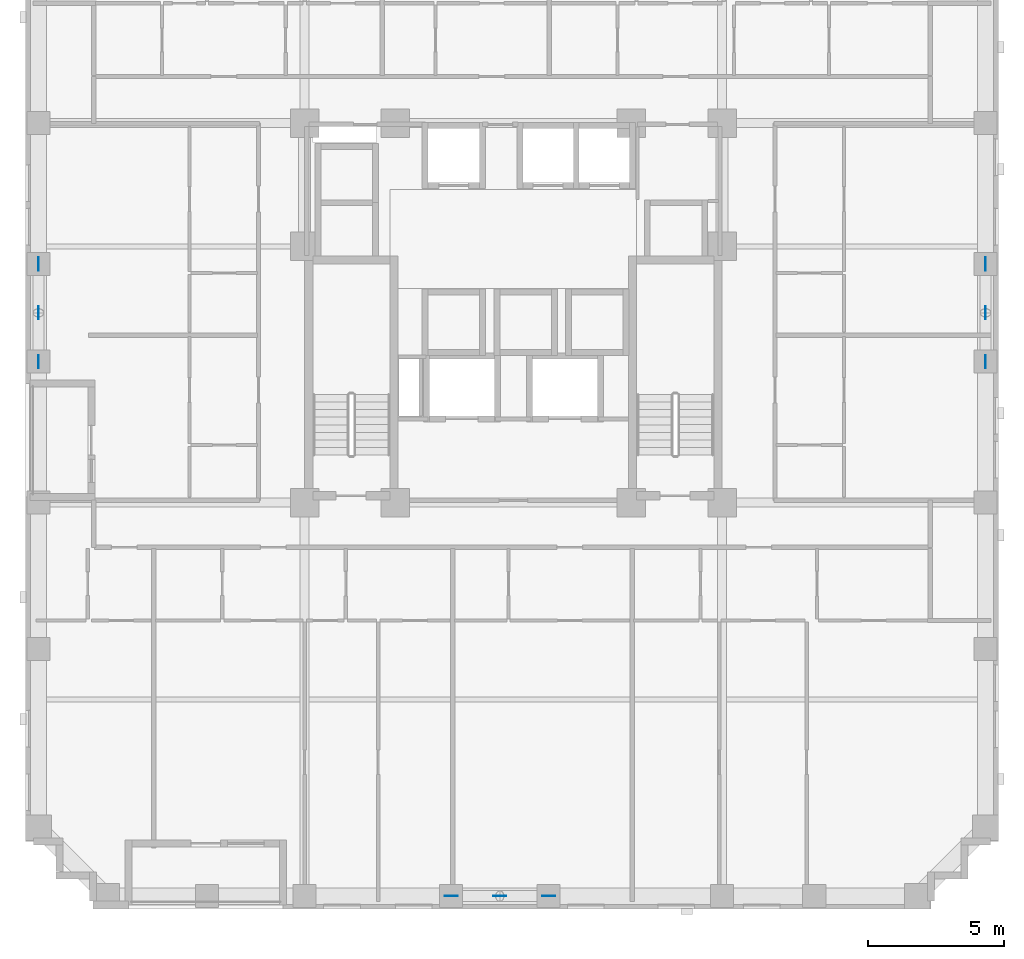
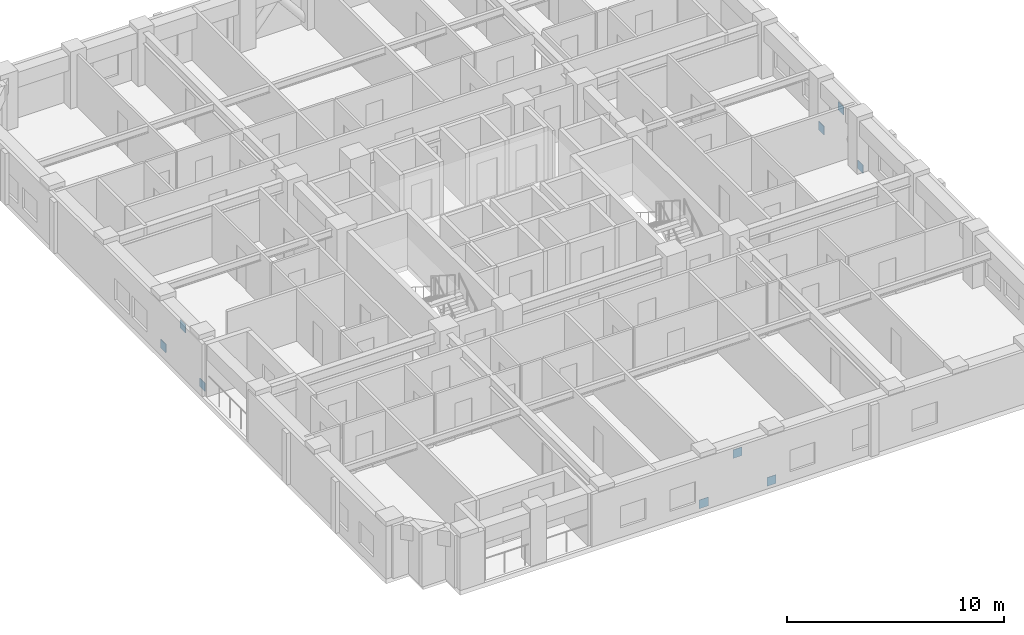
# One storey, part 9 of 12: 9 discrete accessories.
"""IFC4 building model written with IfcOpenShell, lengths in metres."""

from ifc_helpers import new_model, si_unit, derived_unit, direction, frame, origin, origin_2d, place, context, subcontext, project, spatial, rectangle, extrude, material, layer, layer_set, type_object, element, save


model = new_model("IFC4")

# Units and contexts
model_context = context("Model", 3, precision=1e-05, world=origin(), true_north=direction((0.0, 1.0)))
body_context = subcontext(model_context, "Body", "Model", "MODEL_VIEW")
ifc_project = project(units=[si_unit("LENGTHUNIT", "METRE"), si_unit("AREAUNIT", "SQUARE_METRE"), si_unit("VOLUMEUNIT", "CUBIC_METRE"), si_unit("PLANEANGLEUNIT", "RADIAN"), si_unit("MASSUNIT", "GRAM", prefix="KILO"), derived_unit("THERMALTRANSMITTANCEUNIT", [(si_unit("MASSUNIT", "GRAM", prefix="KILO"), 1), (si_unit("TIMEUNIT", "SECOND"), -3), (si_unit("THERMODYNAMICTEMPERATUREUNIT", "KELVIN"), -1)])], contexts=[model_context])

# Site, building, storey
site_placement = place(None, origin())
site = spatial("IfcSite", under=ifc_project, at=site_placement, CompositionType="ELEMENT")
building_placement = place(site_placement, origin())
building = spatial("IfcBuilding", under=site, at=building_placement, Name="Korrvale Station Residences", CompositionType="ELEMENT")
storey_placement = place(building_placement, frame((0.0, 0.0, 87.89990234375)))
storey = spatial("IfcBuildingStorey", under=building, at=storey_placement, Name="L24", CompositionType="ELEMENT", Elevation=87.89990234375)

# Discrete accessories
ifc_material = material(Name="Steel S355", Category="steel")
ifc_layer = layer(ifc_material, 0.02490234375, Name="Steel S355")
ifc_layer_set = layer_set([ifc_layer], Name="Steel S355")
discrete_accessory_type = type_object("IfcDiscreteAccessoryType", Name="ACC-GUSSET-25", PredefinedType="BRACKET", material=ifc_layer_set)
for number, where, z_axis, x_axis, name in (
    (1, (23.199951171875, 0.47998046875, -0.219970703125), (0.0, 0.0, 1.0), (1.0, 0.0, 0.0), "L24 S Brace End Gusset Connection A"),
    (2, (26.800048828125, 0.47998046875, -0.219970703125), (0.0, 0.0, 1.0), (1.0, 0.0, 0.0), "L24 S Brace End Gusset Connection B"),
    (3, (25.0, 0.47998046875, 1.97021484375), (0.0, 0.0, 1.0), (1.0, 0.0, 0.0), "L24 S Brace End Gusset Connection M"),
    (4, (7.97998046875, 20.199951171875, -0.219970703125), (0.0, 0.0, 1.0), (0.0, 1.0, 0.0), "L24 W Brace End Gusset Connection A"),
    (5, (7.97998046875, 23.800048828125, -0.219970703125), (0.0, 0.0, 1.0), (0.0, 1.0, 0.0), "L24 W Brace End Gusset Connection B"),
    (6, (7.97998046875, 22.0, 1.97021484375), (0.0, 0.0, 1.0), (0.0, 1.0, 0.0), "L24 W Brace End Gusset Connection M"),
    (7, (42.919921875, 20.199951171875, -0.219970703125), (0.0, 0.0, 1.0), (0.0, 1.0, 0.0), "L24 E Brace End Gusset Connection A"),
    (8, (42.919921875, 23.800048828125, -0.219970703125), (0.0, 0.0, 1.0), (0.0, 1.0, 0.0), "L24 E Brace End Gusset Connection B"),
    (9, (42.919921875, 22.0, 1.97021484375), (0.0, 0.0, 1.0), (0.0, 1.0, 0.0), "L24 E Brace End Gusset Connection M"),
):
    element("IfcDiscreteAccessory", number, at=place(storey_placement, frame(where, z_axis=z_axis, x_axis=x_axis)), inside=storey, type_object=discrete_accessory_type, Name=name, PredefinedType="BRACKET", context=body_context, shape_type="SweptSolid", body=[
        extrude(rectangle(XDim=0.47998046875, YDim=0.02490234375, at=origin_2d()), origin(), (0.0, 0.0, 1.0), 0.47998046875),
    ])

save(model, "model.ifc")
